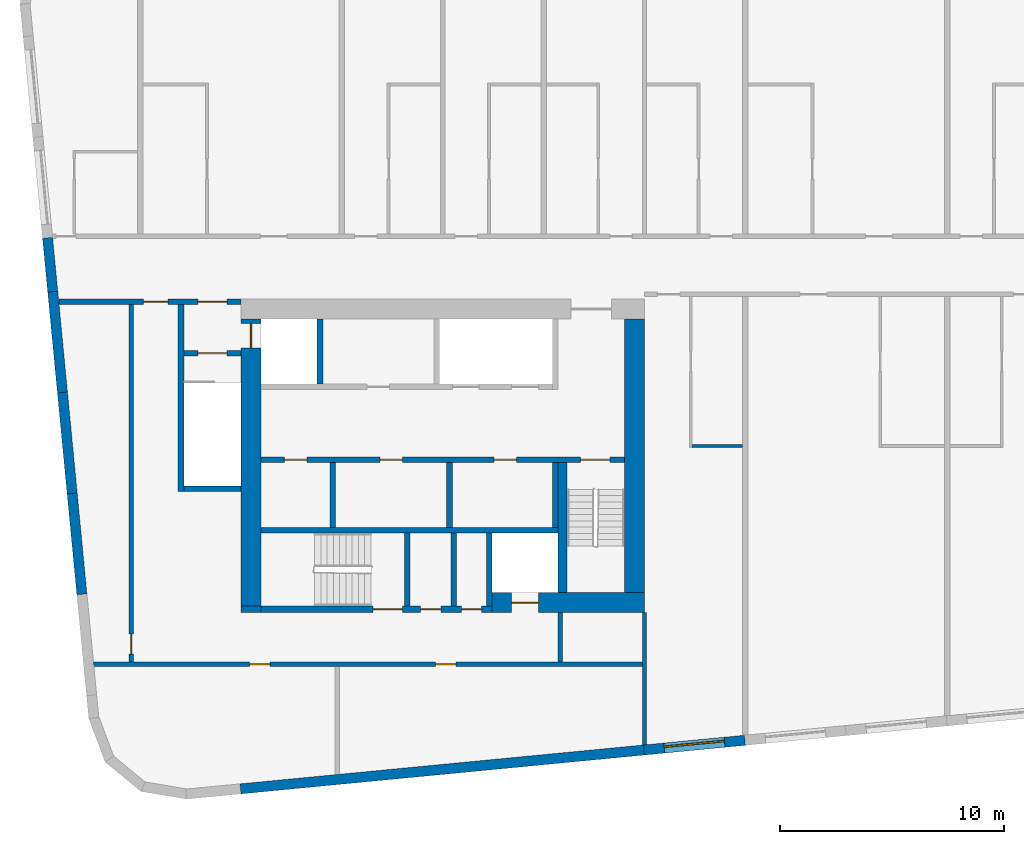
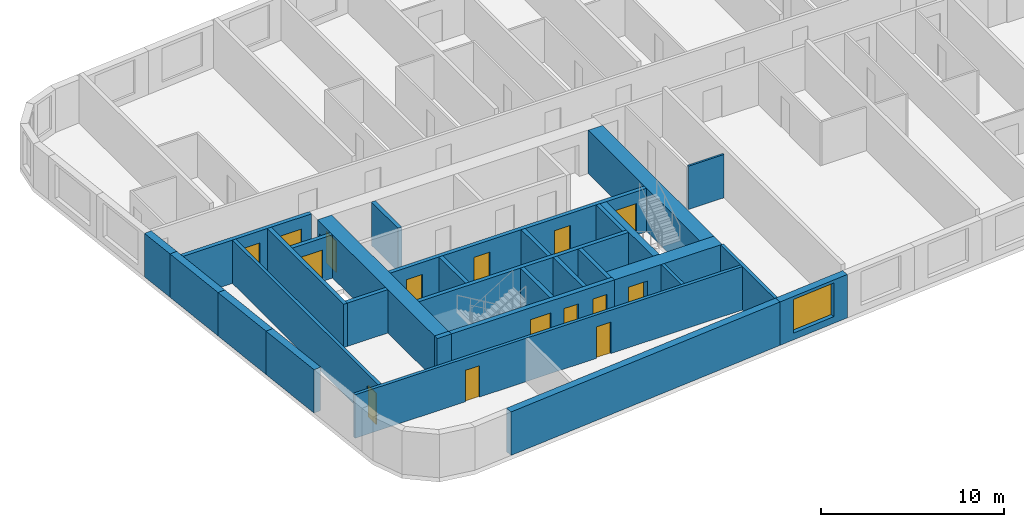
# One storey, part 2 of 11: 30 walls, 15 doors, 1 window, 16 openings.
"""IFC4 building model written with IfcOpenShell, lengths in metres."""

from ifc_helpers import new_model, si_unit, direction, frame, frame_2d, origin, place, context, subcontext, project, spatial, rectangle, extrude, material, layer, layer_set, type_object, element, fill, save


model = new_model("IFC4")

# Units and contexts
model_context = context("Model", 3, precision=1e-05, world=origin(), true_north=direction((0.0, 1.0)))
body_context = subcontext(model_context, "Body", "Model", "MODEL_VIEW")
ifc_project = project(units=[si_unit("LENGTHUNIT", "METRE"), si_unit("AREAUNIT", "SQUARE_METRE"), si_unit("VOLUMEUNIT", "CUBIC_METRE"), si_unit("PLANEANGLEUNIT", "RADIAN"), si_unit("MASSUNIT", "GRAM", prefix="KILO")], contexts=[model_context])

# Site, building, storey
site_placement = place(None, origin())
site = spatial("IfcSite", under=ifc_project, at=site_placement, CompositionType="ELEMENT")
building_placement = place(site_placement, origin())
building = spatial("IfcBuilding", under=site, at=building_placement, Name="Kajstack Hotel Tower", CompositionType="ELEMENT")
storey_placement = place(building_placement, frame((0.0, 0.0, 304.800048828125)))
storey = spatial("IfcBuildingStorey", under=building, at=storey_placement, Name="L77", CompositionType="ELEMENT", Elevation=304.800048828125)

# Wall, opening, door
ifc_material_1 = material(Name="Concrete C60/75", Category="concrete")
ifc_layer_1 = layer(ifc_material_1, 0.89990234375)
ifc_layer_set_1 = layer_set([ifc_layer_1], Name="Core wall 900")
wall_type_1 = type_object("IfcWallType", Name="Core wall 900", PredefinedType="SHEAR", material=ifc_layer_set_1)
wall_1_placement = place(storey_placement, frame((-20.300048828125, -15.050048828125, 0.0), z_axis=(0.0, 0.0, 1.0), x_axis=(1.0, 0.0, 0.0)))
wall_1 = element("IfcWall", 1, at=wall_1_placement, inside=storey, type_object=wall_type_1, Name="Core wall W RS", PredefinedType="SHEAR", context=body_context, shape_type="SweptSolid", body=[
    extrude(rectangle(XDim=6.800048828125, YDim=0.89990234375, at=frame_2d((3.39990234375, 0.0))), origin(), (0.0, 0.0, 1.0), 2.89990234375),
])
opening_1_placement = place(wall_1_placement, frame((0.875, 0.0, 0.0)))
opening_1 = element("IfcOpeningElement", 2, at=opening_1_placement, cuts=wall_1, Name="Opening LD-SV1", PredefinedType="OPENING", context=body_context, shape_type="SweptSolid", body=[
    extrude(rectangle(XDim=1.199951171875, YDim=2.10009765625, at=frame_2d((0.60009765625, 1.050048828125))), frame((0.0, 0.4599609375, 0.0), z_axis=(0.0, -1.0, 0.0), x_axis=(1.0, 0.0, 0.0)), (0.0, 0.0, 1.0), 0.919921875),
])
ifc_material_2 = material(Name="Stainless steel", Category="steel")
door_type_1 = type_object("IfcDoorType", Name="Lift landing door 1200", OperationType="SLIDING_TO_LEFT", PredefinedType="DOOR", material=ifc_material_2)
door_1_placement = place(opening_1_placement, origin())
door_1 = element("IfcDoor", 3, at=door_1_placement, inside=storey, type_object=door_type_1, Name="Landing door SV1", OperationType="SLIDING_TO_LEFT", OverallHeight=2.10009765625, OverallWidth=1.199951171875, PredefinedType="DOOR", context=body_context, shape_type="SweptSolid", body=[
    extrude(rectangle(XDim=1.199951171875, YDim=2.10009765625, at=frame_2d((0.60009765625, 1.050048828125))), frame((0.0, 0.02490234375, 0.0), z_axis=(0.0, -1.0, 0.0), x_axis=(1.0, 0.0, 0.0)), (0.0, 0.0, 1.0), 0.050048828125),
])
fill(opening_1, door_1)

# Wall
wall_2_placement = place(storey_placement, frame((-31.5, -15.35009765625, 0.0), z_axis=(0.0, 0.0, 1.0), x_axis=(1.0, 0.0, 0.0)))
element("IfcWall", 4, at=wall_2_placement, inside=storey, type_object=wall_type_1, Name="Core wall W RSW", PredefinedType="SHEAR", context=body_context, shape_type="SweptSolid", body=[
    extrude(rectangle(XDim=0.89990234375, YDim=0.300048828125, at=frame_2d((0.449951171875, 0.0))), origin(), (0.0, 0.0, 1.0), 2.89990234375),
])

# Wall, opening, door
wall_3_placement = place(storey_placement, frame((-31.050048828125, -15.199951171875, 0.0), z_axis=(0.0, 0.0, 1.0), x_axis=(0.0, 1.0, 0.0)))
wall_3 = element("IfcWall", 5, at=wall_3_placement, inside=storey, type_object=wall_type_1, Name="Core wall W RW", PredefinedType="SHEAR", context=body_context, shape_type="SweptSolid", body=[
    extrude(rectangle(XDim=12.800048828125, YDim=0.89990234375, at=frame_2d((6.39990234375, 0.0))), origin(), (0.0, 0.0, 1.0), 2.89990234375),
])
opening_2_placement = place(wall_3_placement, frame((11.5, 0.0, 0.0)))
opening_2 = element("IfcOpeningElement", 6, at=opening_2_placement, cuts=wall_3, Name="Opening LD-FF1", PredefinedType="OPENING", context=body_context, shape_type="SweptSolid", body=[
    extrude(rectangle(XDim=1.10009765625, YDim=2.10009765625, at=frame_2d((0.550048828125, 1.050048828125))), frame((0.0, 0.4599609375, 0.0), z_axis=(0.0, -1.0, 0.0), x_axis=(1.0, 0.0, 0.0)), (0.0, 0.0, 1.0), 0.919921875),
])
door_type_2 = type_object("IfcDoorType", Name="Fire-fighting lift landing door 1100", OperationType="SLIDING_TO_LEFT", PredefinedType="DOOR", material=ifc_material_2)
door_2_placement = place(opening_2_placement, origin())
door_2 = element("IfcDoor", 7, at=door_2_placement, inside=storey, type_object=door_type_2, Name="Landing door FF1", OperationType="SLIDING_TO_RIGHT", OverallHeight=2.10009765625, OverallWidth=1.10009765625, PredefinedType="DOOR", context=body_context, shape_type="SweptSolid", body=[
    extrude(rectangle(XDim=1.10009765625, YDim=2.10009765625, at=frame_2d((0.550048828125, 1.050048828125))), frame((0.0, 0.02490234375, 0.0), z_axis=(0.0, -1.0, 0.0), x_axis=(1.0, 0.0, 0.0)), (0.0, 0.0, 1.0), 0.050048828125),
])
fill(opening_2, door_2)

# Walls
wall_4_placement = place(storey_placement, frame((-13.949951171875, -14.60009765625, 0.0), z_axis=(0.0, 0.0, 1.0), x_axis=(0.0, 1.0, 0.0)))
element("IfcWall", 8, at=wall_4_placement, inside=storey, type_object=wall_type_1, Name="Core wall W RE", PredefinedType="SHEAR", context=body_context, shape_type="SweptSolid", body=[
    extrude(rectangle(XDim=12.2001953125, YDim=0.89990234375, at=frame_2d((6.10009765625, 0.0))), origin(), (0.0, 0.0, 1.0), 2.89990234375),
])
ifc_material_3 = material(Name="Twin-frame gypsum board on steel studs, mineral wool", Category="steel")
ifc_layer_2 = layer(ifc_material_3, 0.199951171875)
ifc_layer_set_2 = layer_set([ifc_layer_2], Name="Demising wall 200")
wall_type_2 = type_object("IfcWallType", Name="Demising wall 200", PredefinedType="PARTITIONING", material=ifc_layer_set_2)
wall_5_placement = place(storey_placement, frame((-13.5, -21.39599609375, 0.0), z_axis=(0.0, 0.0, 1.0), x_axis=(0.0, 1.0, 0.0)))
element("IfcWall", 9, at=wall_5_placement, inside=storey, type_object=wall_type_2, Name="G-wall-L77-002", PredefinedType="PARTITIONING", context=body_context, shape_type="SweptSolid", body=[
    extrude(rectangle(XDim=5.89599609375, YDim=0.199951171875, at=frame_2d((2.947998046875, 0.0))), origin(), (0.0, 0.0, 1.0), 2.89990234375),
])
ifc_material_4 = material(Name="Concrete C40/50", Category="concrete")
ifc_layer_3 = layer(ifc_material_4, 0.449951171875)
ifc_layer_set_3 = layer_set([ifc_layer_3], Name="EW-CORE")
wall_type_3 = type_object("IfcWallType", Name="EW-CORE", PredefinedType="SOLIDWALL", material=ifc_layer_set_3)
wall_6_placement = place(storey_placement, frame((-40.12744140625, 1.221435546875, 0.0), z_axis=(0.0, 0.0, 1.0), x_axis=(0.095893776162, -0.995391573047, 0.0)))
element("IfcWall", 10, at=wall_6_placement, inside=storey, type_object=wall_type_3, Name="E-wall-L77-00-03", PredefinedType="SOLIDWALL", context=body_context, shape_type="SweptSolid", body=[
    extrude(rectangle(XDim=2.4111328125, YDim=0.449951171875, at=frame_2d((1.20556640625, 0.0))), origin(), (0.0, 0.0, 1.0), 2.89990234375),
])
for number, where, z_axis, x_axis, name in (
    (11, (-39.896240234375, -1.178466796875, 0.0), (0.0, 0.0, 1.0), (0.09580296028, -0.995400317863, 0.0), "E-wall-L77-00-04"),
    (12, (-39.463134765625, -5.678466796875, 0.0), (0.0, 0.0, 1.0), (0.095856468129, -0.995395166513, 0.0), "E-wall-L77-00-05"),
    (13, (-39.02978515625, -10.178466796875, 0.0), (0.0, 0.0, 1.0), (0.095856468129, -0.995395166513, 0.0), "E-wall-L77-00-06"),
):
    element("IfcWall", number, at=place(storey_placement, frame(where, z_axis=z_axis, x_axis=x_axis)), inside=storey, type_object=wall_type_3, Name=name, PredefinedType="SOLIDWALL", context=body_context, shape_type="SweptSolid", body=[
        extrude(rectangle(XDim=4.520751953125, YDim=0.449951171875, at=frame_2d((2.26025390625, 0.0))), origin(), (0.0, 0.0, 1.0), 2.89990234375),
    ])
wall_7_placement = place(storey_placement, frame((-31.521484375, -23.357177734375, 0.0), z_axis=(0.0, 0.0, 1.0), x_axis=(0.995396454615, 0.095843091245, 0.0)))
element("IfcWall", 14, at=wall_7_placement, inside=storey, type_object=wall_type_3, Name="E-wall-L77-04-01", PredefinedType="SOLIDWALL", context=body_context, shape_type="SweptSolid", body=[
    extrude(rectangle(XDim=18.083251953125, YDim=0.449951171875, at=frame_2d((9.04150390625, 0.0))), origin(), (0.0, 0.0, 1.0), 2.89990234375),
])

# Wall, opening, window
wall_8_placement = place(storey_placement, frame((-13.521484375, -21.6240234375, 0.0), z_axis=(0.0, 0.0, 1.0), x_axis=(0.995395166513, 0.095856468129, 0.0)))
wall_8 = element("IfcWall", 15, at=wall_8_placement, inside=storey, type_object=wall_type_3, Name="E-wall-L77-04-02", PredefinedType="SOLIDWALL", context=body_context, shape_type="SweptSolid", body=[
    extrude(rectangle(XDim=4.520751953125, YDim=0.449951171875, at=frame_2d((2.26025390625, 0.0))), origin(), (0.0, 0.0, 1.0), 2.89990234375),
])
opening_3_placement = place(wall_8_placement, frame((0.910400390625, 0.0, 0.449951171875)))
opening_3 = element("IfcOpeningElement", 16, at=opening_3_placement, cuts=wall_8, Name="Opening W1", PredefinedType="OPENING", context=body_context, shape_type="SweptSolid", body=[
    extrude(rectangle(XDim=2.699951171875, YDim=2.25, at=frame_2d((1.35009765625, 1.125))), frame((0.0, 0.23486328125, 0.0), z_axis=(0.0, -1.0, 0.0), x_axis=(1.0, 0.0, 0.0)), (0.0, 0.0, 1.0), 0.469970703125),
])
ifc_material_5 = material(Name="Timber-aluminium window, triple glazed", Category="wood")
window_type = type_object("IfcWindowType", Name="WG1", PartitioningType="SINGLE_PANEL", PredefinedType="WINDOW", material=ifc_material_5)
window_placement = place(opening_3_placement, origin())
window = element("IfcWindow", 17, at=window_placement, inside=storey, type_object=window_type, Name="Window W1 L77-04", OverallHeight=2.25, OverallWidth=2.699951171875, PartitioningType="SINGLE_PANEL", PredefinedType="WINDOW", context=body_context, shape_type="SweptSolid", body=[
    extrude(rectangle(XDim=2.699951171875, YDim=2.25, at=frame_2d((1.35009765625, 1.125))), frame((0.0, 0.090087890625, 0.0), z_axis=(0.0, -1.0, 0.0), x_axis=(1.0, 0.0, 0.0)), (0.0, 0.0, 1.0), 0.06005859375),
])
fill(opening_3, window)

# Walls
ifc_material_6 = material(Name="Gypsum board and tiled backer on steel studs", Category="steel")
ifc_layer_4 = layer(ifc_material_6, 0.125)
ifc_layer_set_4 = layer_set([ifc_layer_4], Name="En-suite wall 125")
wall_type_4 = type_object("IfcWallType", Name="En-suite wall 125", PredefinedType="PARTITIONING", material=ifc_layer_set_4)
wall_9_placement = place(storey_placement, frame((-11.375, -8.06201171875, 0.0), z_axis=(0.0, 0.0, 1.0), x_axis=(1.0, 0.0, 0.0)))
element("IfcWall", 18, at=wall_9_placement, inside=storey, type_object=wall_type_4, Name="G-wall-L77-030", PredefinedType="PARTITIONING", context=body_context, shape_type="SweptSolid", body=[
    extrude(rectangle(XDim=2.25, YDim=0.125, at=frame_2d((1.125, 0.0))), origin(), (0.0, 0.0, 1.0), 2.89990234375),
])
ifc_material_7 = material(Name="Concrete block masonry", Category="masonry")
ifc_layer_5 = layer(ifc_material_7, 0.25)
ifc_layer_set_5 = layer_set([ifc_layer_5], Name="Riser partition 250")
wall_type_5 = type_object("IfcWallType", Name="Riser partition 250", PredefinedType="PARTITIONING", material=ifc_layer_set_5)
for number, where, z_axis, x_axis, name in (
    (19, (-27.39990234375, -11.699951171875, 0.0), (0.0, 0.0, 1.0), (0.0, 1.0, 0.0), "Partition W BF0"),
    (20, (-22.199951171875, -11.699951171875, 0.0), (0.0, 0.0, 1.0), (0.0, 1.0, 0.0), "Partition W BF1"),
):
    element("IfcWall", number, at=place(storey_placement, frame(where, z_axis=z_axis, x_axis=x_axis)), inside=storey, type_object=wall_type_5, Name=name, PredefinedType="PARTITIONING", context=body_context, shape_type="SweptSolid", body=[
        extrude(rectangle(XDim=2.89990234375, YDim=0.25, at=frame_2d((1.449951171875, 0.0))), origin(), (0.0, 0.0, 1.0), 2.89990234375),
    ])
wall_10_placement = place(storey_placement, frame((-22.0, -15.199951171875, 0.0), z_axis=(0.0, 0.0, 1.0), x_axis=(0.0, 1.0, 0.0)))
element("IfcWall", 21, at=wall_10_placement, inside=storey, type_object=wall_type_5, Name="Partition W SZ0", PredefinedType="PARTITIONING", context=body_context, shape_type="SweptSolid", body=[
    extrude(rectangle(XDim=3.25, YDim=0.25, at=frame_2d((1.625, 0.0))), origin(), (0.0, 0.0, 1.0), 2.89990234375),
])

# Wall, openings, doors
ifc_material_8 = material(Name="Gypsum board on steel studs, mineral wool", Category="steel")
ifc_layer_6 = layer(ifc_material_8, 0.199951171875)
ifc_layer_set_6 = layer_set([ifc_layer_6], Name="Service partition 200")
wall_type_6 = type_object("IfcWallType", Name="Service partition 200", PredefinedType="PARTITIONING", material=ifc_layer_set_6)
wall_11_placement = place(storey_placement, frame((-39.627197265625, -1.625, 0.0), z_axis=(0.0, 0.0, 1.0), x_axis=(1.0, 0.0, 0.0)))
wall_11 = element("IfcWall", 22, at=wall_11_placement, inside=storey, type_object=wall_type_6, Name="Partition W SN", PredefinedType="PARTITIONING", context=body_context, shape_type="SweptSolid", body=[
    extrude(rectangle(XDim=8.127197265625, YDim=0.25, at=frame_2d((4.0634765625, 0.0))), origin(), (0.0, 0.0, 1.0), 2.89990234375),
])
opening_4_placement = place(wall_11_placement, frame((6.202392578125, 0.0, 0.0)))
opening_4 = element("IfcOpeningElement", 23, at=opening_4_placement, cuts=wall_11, Name="Opening 77W06", PredefinedType="OPENING", context=body_context, shape_type="SweptSolid", body=[
    extrude(rectangle(XDim=1.300048828125, YDim=2.10009765625, at=frame_2d((0.64990234375, 1.050048828125))), frame((0.0, 0.135009765625, 0.0), z_axis=(0.0, -1.0, 0.0), x_axis=(1.0, 0.0, 0.0)), (0.0, 0.0, 1.0), 0.27001953125),
])
opening_5_placement = place(wall_11_placement, frame((3.77734375, 0.0, 0.0)))
opening_5 = element("IfcOpeningElement", 24, at=opening_5_placement, cuts=wall_11, Name="Opening 77W08", PredefinedType="OPENING", context=body_context, shape_type="SweptSolid", body=[
    extrude(rectangle(XDim=1.10009765625, YDim=2.10009765625, at=frame_2d((0.550048828125, 1.050048828125))), frame((0.0, 0.135009765625, 0.0), z_axis=(0.0, -1.0, 0.0), x_axis=(1.0, 0.0, 0.0)), (0.0, 0.0, 1.0), 0.27001953125),
])
ifc_material_9 = material(Name="Steel leaf, fire-rated", Category="steel")
door_type_3 = type_object("IfcDoorType", Name="Fire lobby door 1300", OperationType="SINGLE_SWING_LEFT", PredefinedType="DOOR", material=ifc_material_9)
door_3_placement = place(opening_4_placement, origin())
door_3 = element("IfcDoor", 25, at=door_3_placement, inside=storey, type_object=door_type_3, Name="Door 77W06", OperationType="SINGLE_SWING_RIGHT", OverallHeight=2.10009765625, OverallWidth=1.300048828125, PredefinedType="DOOR", context=body_context, shape_type="SweptSolid", body=[
    extrude(rectangle(XDim=1.300048828125, YDim=2.10009765625, at=frame_2d((0.64990234375, 1.050048828125))), frame((0.0, 0.02490234375, 0.0), z_axis=(0.0, -1.0, 0.0), x_axis=(1.0, 0.0, 0.0)), (0.0, 0.0, 1.0), 0.050048828125),
])
fill(opening_4, door_3)
ifc_material_10 = material(Name="Timber leaf, fire-rated", Category="wood")
door_type_4 = type_object("IfcDoorType", Name="Service corridor door 1100", OperationType="SINGLE_SWING_LEFT", PredefinedType="DOOR", material=ifc_material_10)
door_4_placement = place(opening_5_placement, origin())
door_4 = element("IfcDoor", 26, at=door_4_placement, inside=storey, type_object=door_type_4, Name="Door 77W08", OperationType="SINGLE_SWING_RIGHT", OverallHeight=2.10009765625, OverallWidth=1.10009765625, PredefinedType="DOOR", context=body_context, shape_type="SweptSolid", body=[
    extrude(rectangle(XDim=1.10009765625, YDim=2.10009765625, at=frame_2d((0.550048828125, 1.050048828125))), frame((0.0, 0.02490234375, 0.0), z_axis=(0.0, -1.0, 0.0), x_axis=(1.0, 0.0, 0.0)), (0.0, 0.0, 1.0), 0.050048828125),
])
fill(opening_5, door_4)

# Wall
wall_12_placement = place(storey_placement, frame((-17.25, -17.699951171875, 0.0), z_axis=(0.0, 0.0, 1.0), x_axis=(0.0, 1.0, 0.0)))
element("IfcWall", 27, at=wall_12_placement, inside=storey, type_object=wall_type_6, Name="Partition W SCE", PredefinedType="PARTITIONING", context=body_context, shape_type="SweptSolid", body=[
    extrude(rectangle(XDim=2.199951171875, YDim=0.199951171875, at=frame_2d((1.10009765625, 0.0))), origin(), (0.0, 0.0, 1.0), 2.89990234375),
])

# Wall, opening, door
wall_13_placement = place(storey_placement, frame((-36.39990234375, -17.699951171875, 0.0), z_axis=(0.0, 0.0, 1.0), x_axis=(0.0, 1.0, 0.0)))
wall_13 = element("IfcWall", 28, at=wall_13_placement, inside=storey, type_object=wall_type_6, Name="Partition W WRE", PredefinedType="PARTITIONING", context=body_context, shape_type="SweptSolid", body=[
    extrude(rectangle(XDim=15.949951171875, YDim=0.199951171875, at=frame_2d((7.97509765625, 0.0))), origin(), (0.0, 0.0, 1.0), 2.89990234375),
])
opening_6_placement = place(wall_13_placement, frame((0.35009765625, 0.0, 0.0)))
opening_6 = element("IfcOpeningElement", 29, at=opening_6_placement, cuts=wall_13, Name="Opening 77W19", PredefinedType="OPENING", context=body_context, shape_type="SweptSolid", body=[
    extrude(rectangle(XDim=0.89990234375, YDim=2.10009765625, at=frame_2d((0.449951171875, 1.050048828125))), frame((0.0, 0.10986328125, 0.0), z_axis=(0.0, -1.0, 0.0), x_axis=(1.0, 0.0, 0.0)), (0.0, 0.0, 1.0), 0.219970703125),
])
door_type_5 = type_object("IfcDoorType", Name="Service door 900", OperationType="SINGLE_SWING_LEFT", PredefinedType="DOOR", material=ifc_material_10)
door_5_placement = place(opening_6_placement, origin())
door_5 = element("IfcDoor", 30, at=door_5_placement, inside=storey, type_object=door_type_5, Name="Door 77W19", OperationType="SINGLE_SWING_LEFT", OverallHeight=2.10009765625, OverallWidth=0.89990234375, PredefinedType="DOOR", context=body_context, shape_type="SweptSolid", body=[
    extrude(rectangle(XDim=0.89990234375, YDim=2.10009765625, at=frame_2d((0.449951171875, 1.050048828125))), frame((0.0, 0.02490234375, 0.0), z_axis=(0.0, -1.0, 0.0), x_axis=(1.0, 0.0, 0.0)), (0.0, 0.0, 1.0), 0.050048828125),
])
fill(opening_6, door_5)

# Wall, openings, doors
wall_14_placement = place(storey_placement, frame((-38.06982421875, -17.800048828125, 0.0), z_axis=(0.0, 0.0, 1.0), x_axis=(1.0, 0.0, 0.0)))
wall_14 = element("IfcWall", 31, at=wall_14_placement, inside=storey, type_object=wall_type_6, Name="Partition W SLN", PredefinedType="PARTITIONING", context=body_context, shape_type="SweptSolid", body=[
    extrude(rectangle(XDim=24.4697265625, YDim=0.199951171875, at=frame_2d((12.23486328125, 0.0))), origin(), (0.0, 0.0, 1.0), 2.89990234375),
])
opening_7_placement = place(wall_14_placement, frame((6.957275390625, 0.0, 0.0)))
opening_7 = element("IfcOpeningElement", 32, at=opening_7_placement, cuts=wall_14, Name="Opening 77W17", PredefinedType="OPENING", context=body_context, shape_type="SweptSolid", body=[
    extrude(rectangle(XDim=0.89990234375, YDim=2.10009765625, at=frame_2d((0.449951171875, 1.050048828125))), frame((0.0, 0.10986328125, 0.0), z_axis=(0.0, -1.0, 0.0), x_axis=(1.0, 0.0, 0.0)), (0.0, 0.0, 1.0), 0.219970703125),
])
opening_8_placement = place(wall_14_placement, frame((15.25732421875, 0.0, 0.0)))
opening_8 = element("IfcOpeningElement", 33, at=opening_8_placement, cuts=wall_14, Name="Opening 77W18", PredefinedType="OPENING", context=body_context, shape_type="SweptSolid", body=[
    extrude(rectangle(XDim=0.89990234375, YDim=2.10009765625, at=frame_2d((0.449951171875, 1.050048828125))), frame((0.0, 0.10986328125, 0.0), z_axis=(0.0, -1.0, 0.0), x_axis=(1.0, 0.0, 0.0)), (0.0, 0.0, 1.0), 0.219970703125),
])
door_6_placement = place(opening_7_placement, origin())
door_6 = element("IfcDoor", 34, at=door_6_placement, inside=storey, type_object=door_type_5, Name="Door 77W17", OperationType="SINGLE_SWING_RIGHT", OverallHeight=2.10009765625, OverallWidth=0.89990234375, PredefinedType="DOOR", context=body_context, shape_type="SweptSolid", body=[
    extrude(rectangle(XDim=0.89990234375, YDim=2.10009765625, at=frame_2d((0.449951171875, 1.050048828125))), frame((0.0, 0.02490234375, 0.0), z_axis=(0.0, -1.0, 0.0), x_axis=(1.0, 0.0, 0.0)), (0.0, 0.0, 1.0), 0.050048828125),
])
fill(opening_7, door_6)
door_7_placement = place(opening_8_placement, origin())
door_7 = element("IfcDoor", 35, at=door_7_placement, inside=storey, type_object=door_type_5, Name="Door 77W18", OperationType="SINGLE_SWING_RIGHT", OverallHeight=2.10009765625, OverallWidth=0.89990234375, PredefinedType="DOOR", context=body_context, shape_type="SweptSolid", body=[
    extrude(rectangle(XDim=0.89990234375, YDim=2.10009765625, at=frame_2d((0.449951171875, 1.050048828125))), frame((0.0, 0.02490234375, 0.0), z_axis=(0.0, -1.0, 0.0), x_axis=(1.0, 0.0, 0.0)), (0.0, 0.0, 1.0), 0.050048828125),
])
fill(opening_8, door_7)

ifc_material_11 = material(Name="Concrete C50/60", Category="concrete")
ifc_layer_7 = layer(ifc_material_11, 0.25)
ifc_layer_set_7 = layer_set([ifc_layer_7], Name="Shaft wall 250")
wall_type_7 = type_object("IfcWallType", Name="Shaft wall 250", PredefinedType="SHEAR", material=ifc_layer_set_7)
wall_15_placement = place(storey_placement, frame((-30.60009765625, -15.35009765625, 0.0), z_axis=(0.0, 0.0, 1.0), x_axis=(1.0, 0.0, 0.0)))
wall_15 = element("IfcWall", 36, at=wall_15_placement, inside=storey, type_object=wall_type_7, Name="Core wall W RSS", PredefinedType="SHEAR", context=body_context, shape_type="SweptSolid", body=[
    extrude(rectangle(XDim=10.300048828125, YDim=0.300048828125, at=frame_2d((5.14990234375, 0.0))), origin(), (0.0, 0.0, 1.0), 2.89990234375),
])
opening_9_placement = place(wall_15_placement, frame((5.0, 0.0, 0.0)))
opening_9 = element("IfcOpeningElement", 37, at=opening_9_placement, cuts=wall_15, Name="Opening 77W10", PredefinedType="OPENING", context=body_context, shape_type="SweptSolid", body=[
    extrude(rectangle(XDim=1.300048828125, YDim=2.10009765625, at=frame_2d((0.64990234375, 1.050048828125))), frame((0.0, 0.159912109375, 0.0), z_axis=(0.0, -1.0, 0.0), x_axis=(1.0, 0.0, 0.0)), (0.0, 0.0, 1.0), 0.320068359375),
])
opening_10_placement = place(wall_15_placement, frame((7.112548828125, 0.0, 0.0)))
opening_10 = element("IfcOpeningElement", 38, at=opening_10_placement, cuts=wall_15, Name="Opening 77W11", PredefinedType="OPENING", context=body_context, shape_type="SweptSolid", body=[
    extrude(rectangle(XDim=0.89990234375, YDim=2.10009765625, at=frame_2d((0.449951171875, 1.050048828125))), frame((0.0, 0.159912109375, 0.0), z_axis=(0.0, -1.0, 0.0), x_axis=(1.0, 0.0, 0.0)), (0.0, 0.0, 1.0), 0.320068359375),
])
opening_11_placement = place(wall_15_placement, frame((8.9375, 0.0, 0.0)))
opening_11 = element("IfcOpeningElement", 39, at=opening_11_placement, cuts=wall_15, Name="Opening 77W12", PredefinedType="OPENING", context=body_context, shape_type="SweptSolid", body=[
    extrude(rectangle(XDim=0.89990234375, YDim=2.10009765625, at=frame_2d((0.449951171875, 1.050048828125))), frame((0.0, 0.159912109375, 0.0), z_axis=(0.0, -1.0, 0.0), x_axis=(1.0, 0.0, 0.0)), (0.0, 0.0, 1.0), 0.320068359375),
])
door_8_placement = place(opening_10_placement, origin())
door_8 = element("IfcDoor", 40, at=door_8_placement, inside=storey, type_object=door_type_5, Name="Door 77W11", OperationType="SINGLE_SWING_LEFT", OverallHeight=2.10009765625, OverallWidth=0.89990234375, PredefinedType="DOOR", context=body_context, shape_type="SweptSolid", body=[
    extrude(rectangle(XDim=0.89990234375, YDim=2.10009765625, at=frame_2d((0.449951171875, 1.050048828125))), frame((0.0, 0.02490234375, 0.0), z_axis=(0.0, -1.0, 0.0), x_axis=(1.0, 0.0, 0.0)), (0.0, 0.0, 1.0), 0.050048828125),
])
fill(opening_10, door_8)
door_9_placement = place(opening_11_placement, origin())
door_9 = element("IfcDoor", 41, at=door_9_placement, inside=storey, type_object=door_type_5, Name="Door 77W12", OperationType="SINGLE_SWING_LEFT", OverallHeight=2.10009765625, OverallWidth=0.89990234375, PredefinedType="DOOR", context=body_context, shape_type="SweptSolid", body=[
    extrude(rectangle(XDim=0.89990234375, YDim=2.10009765625, at=frame_2d((0.449951171875, 1.050048828125))), frame((0.0, 0.02490234375, 0.0), z_axis=(0.0, -1.0, 0.0), x_axis=(1.0, 0.0, 0.0)), (0.0, 0.0, 1.0), 0.050048828125),
])
fill(opening_11, door_9)
door_type_6 = type_object("IfcDoorType", Name="Stair door 1300", OperationType="SINGLE_SWING_LEFT", PredefinedType="DOOR", material=ifc_material_9)
door_10_placement = place(opening_9_placement, origin())
door_10 = element("IfcDoor", 42, at=door_10_placement, inside=storey, type_object=door_type_6, Name="Door 77W10", OperationType="SINGLE_SWING_RIGHT", OverallHeight=2.10009765625, OverallWidth=1.300048828125, PredefinedType="DOOR", context=body_context, shape_type="SweptSolid", body=[
    extrude(rectangle(XDim=1.300048828125, YDim=2.10009765625, at=frame_2d((0.64990234375, 1.050048828125))), frame((0.0, 0.02490234375, 0.0), z_axis=(0.0, -1.0, 0.0), x_axis=(1.0, 0.0, 0.0)), (0.0, 0.0, 1.0), 0.050048828125),
])
fill(opening_9, door_10)

# Wall
wall_16_placement = place(storey_placement, frame((-27.97509765625, -5.300048828125, 0.0), z_axis=(0.0, 0.0, 1.0), x_axis=(0.0, 1.0, 0.0)))
element("IfcWall", 43, at=wall_16_placement, inside=storey, type_object=wall_type_7, Name="Core wall W AP0", PredefinedType="SHEAR", context=body_context, shape_type="SweptSolid", body=[
    extrude(rectangle(XDim=2.900146484375, YDim=0.25, at=frame_2d((1.4501953125, 0.0))), origin(), (0.0, 0.0, 1.0), 2.89990234375),
])

# Wall, openings, doors
wall_17_placement = place(storey_placement, frame((-30.60009765625, -8.675048828125, 0.0), z_axis=(0.0, 0.0, 1.0), x_axis=(1.0, 0.0, 0.0)))
wall_17 = element("IfcWall", 44, at=wall_17_placement, inside=storey, type_object=wall_type_7, Name="Core wall W FB", PredefinedType="SHEAR", context=body_context, shape_type="SweptSolid", body=[
    extrude(rectangle(XDim=16.2001953125, YDim=0.25, at=frame_2d((8.10009765625, 0.0))), origin(), (0.0, 0.0, 1.0), 2.89990234375),
])
opening_12_placement = place(wall_17_placement, frame((14.25, 0.0, 0.0)))
opening_12 = element("IfcOpeningElement", 45, at=opening_12_placement, cuts=wall_17, Name="Opening 77W09", PredefinedType="OPENING", context=body_context, shape_type="SweptSolid", body=[
    extrude(rectangle(XDim=1.300048828125, YDim=2.10009765625, at=frame_2d((0.64990234375, 1.050048828125))), frame((0.0, 0.135009765625, 0.0), z_axis=(0.0, -1.0, 0.0), x_axis=(1.0, 0.0, 0.0)), (0.0, 0.0, 1.0), 0.27001953125),
])
opening_13_placement = place(wall_17_placement, frame((1.03759765625, 0.0, 0.0)))
opening_13 = element("IfcOpeningElement", 46, at=opening_13_placement, cuts=wall_17, Name="Opening 77W13", PredefinedType="OPENING", context=body_context, shape_type="SweptSolid", body=[
    extrude(rectangle(XDim=1.0, YDim=2.10009765625, at=frame_2d((0.5, 1.050048828125))), frame((0.0, 0.135009765625, 0.0), z_axis=(0.0, -1.0, 0.0), x_axis=(1.0, 0.0, 0.0)), (0.0, 0.0, 1.0), 0.27001953125),
])
opening_14_placement = place(wall_17_placement, frame((5.300048828125, 0.0, 0.0)))
opening_14 = element("IfcOpeningElement", 47, at=opening_14_placement, cuts=wall_17, Name="Opening 77W14", PredefinedType="OPENING", context=body_context, shape_type="SweptSolid", body=[
    extrude(rectangle(XDim=1.0, YDim=2.10009765625, at=frame_2d((0.5, 1.050048828125))), frame((0.0, 0.135009765625, 0.0), z_axis=(0.0, -1.0, 0.0), x_axis=(1.0, 0.0, 0.0)), (0.0, 0.0, 1.0), 0.27001953125),
])
opening_15_placement = place(wall_17_placement, frame((10.387451171875, 0.0, 0.0)))
opening_15 = element("IfcOpeningElement", 48, at=opening_15_placement, cuts=wall_17, Name="Opening 77W15", PredefinedType="OPENING", context=body_context, shape_type="SweptSolid", body=[
    extrude(rectangle(XDim=1.0, YDim=2.10009765625, at=frame_2d((0.5, 1.050048828125))), frame((0.0, 0.135009765625, 0.0), z_axis=(0.0, -1.0, 0.0), x_axis=(1.0, 0.0, 0.0)), (0.0, 0.0, 1.0), 0.27001953125),
])
door_type_7 = type_object("IfcDoorType", Name="Service room door 1000", OperationType="SINGLE_SWING_LEFT", PredefinedType="DOOR", material=ifc_material_10)
door_11_placement = place(opening_13_placement, origin())
door_11 = element("IfcDoor", 49, at=door_11_placement, inside=storey, type_object=door_type_7, Name="Door 77W13", OperationType="SINGLE_SWING_RIGHT", OverallHeight=2.10009765625, OverallWidth=1.0, PredefinedType="DOOR", context=body_context, shape_type="SweptSolid", body=[
    extrude(rectangle(XDim=1.0, YDim=2.10009765625, at=frame_2d((0.5, 1.050048828125))), frame((0.0, 0.02490234375, 0.0), z_axis=(0.0, -1.0, 0.0), x_axis=(1.0, 0.0, 0.0)), (0.0, 0.0, 1.0), 0.050048828125),
])
fill(opening_13, door_11)
door_12_placement = place(opening_14_placement, origin())
door_12 = element("IfcDoor", 50, at=door_12_placement, inside=storey, type_object=door_type_7, Name="Door 77W14", OperationType="SINGLE_SWING_RIGHT", OverallHeight=2.10009765625, OverallWidth=1.0, PredefinedType="DOOR", context=body_context, shape_type="SweptSolid", body=[
    extrude(rectangle(XDim=1.0, YDim=2.10009765625, at=frame_2d((0.5, 1.050048828125))), frame((0.0, 0.02490234375, 0.0), z_axis=(0.0, -1.0, 0.0), x_axis=(1.0, 0.0, 0.0)), (0.0, 0.0, 1.0), 0.050048828125),
])
fill(opening_14, door_12)
door_13_placement = place(opening_15_placement, origin())
door_13 = element("IfcDoor", 51, at=door_13_placement, inside=storey, type_object=door_type_7, Name="Door 77W15", OperationType="SINGLE_SWING_RIGHT", OverallHeight=2.10009765625, OverallWidth=1.0, PredefinedType="DOOR", context=body_context, shape_type="SweptSolid", body=[
    extrude(rectangle(XDim=1.0, YDim=2.10009765625, at=frame_2d((0.5, 1.050048828125))), frame((0.0, 0.02490234375, 0.0), z_axis=(0.0, -1.0, 0.0), x_axis=(1.0, 0.0, 0.0)), (0.0, 0.0, 1.0), 0.050048828125),
])
fill(opening_15, door_13)
door_14_placement = place(opening_12_placement, origin())
door_14 = element("IfcDoor", 52, at=door_14_placement, inside=storey, type_object=door_type_6, Name="Door 77W09", OperationType="SINGLE_SWING_RIGHT", OverallHeight=2.10009765625, OverallWidth=1.300048828125, PredefinedType="DOOR", context=body_context, shape_type="SweptSolid", body=[
    extrude(rectangle(XDim=1.300048828125, YDim=2.10009765625, at=frame_2d((0.64990234375, 1.050048828125))), frame((0.0, 0.02490234375, 0.0), z_axis=(0.0, -1.0, 0.0), x_axis=(1.0, 0.0, 0.0)), (0.0, 0.0, 1.0), 0.050048828125),
])
fill(opening_12, door_14)

# Walls
wall_18_placement = place(storey_placement, frame((-30.60009765625, -11.824951171875, 0.0), z_axis=(0.0, 0.0, 1.0), x_axis=(1.0, 0.0, 0.0)))
element("IfcWall", 53, at=wall_18_placement, inside=storey, type_object=wall_type_7, Name="Core wall W RB", PredefinedType="SHEAR", context=body_context, shape_type="SweptSolid", body=[
    extrude(rectangle(XDim=13.25, YDim=0.25, at=frame_2d((6.625, 0.0))), origin(), (0.0, 0.0, 1.0), 2.89990234375),
])
wall_19_placement = place(storey_placement, frame((-17.47509765625, -11.699951171875, 0.0), z_axis=(0.0, 0.0, 1.0), x_axis=(0.0, 1.0, 0.0)))
element("IfcWall", 54, at=wall_19_placement, inside=storey, type_object=wall_type_7, Name="Core wall W BE", PredefinedType="SHEAR", context=body_context, shape_type="SweptSolid", body=[
    extrude(rectangle(XDim=2.89990234375, YDim=0.25, at=frame_2d((1.449951171875, 0.0))), origin(), (0.0, 0.0, 1.0), 2.89990234375),
])
wall_20_placement = place(storey_placement, frame((-20.425048828125, -15.199951171875, 0.0), z_axis=(0.0, 0.0, 1.0), x_axis=(0.0, 1.0, 0.0)))
element("IfcWall", 55, at=wall_20_placement, inside=storey, type_object=wall_type_7, Name="Core wall W SVW", PredefinedType="SHEAR", context=body_context, shape_type="SweptSolid", body=[
    extrude(rectangle(XDim=3.25, YDim=0.25, at=frame_2d((1.625, 0.0))), origin(), (0.0, 0.0, 1.0), 2.89990234375),
])

# Wall, opening, door
ifc_layer_8 = layer(ifc_material_4, 0.25)
ifc_layer_set_8 = layer_set([ifc_layer_8], Name="Stair enclosure wall 250")
wall_type_8 = type_object("IfcWallType", Name="Stair enclosure wall 250", PredefinedType="SHEAR", material=ifc_layer_set_8)
wall_21_placement = place(storey_placement, frame((-34.050048828125, -3.925048828125, 0.0), z_axis=(0.0, 0.0, 1.0), x_axis=(1.0, 0.0, 0.0)))
wall_21 = element("IfcWall", 56, at=wall_21_placement, inside=storey, type_object=wall_type_8, Name="Core wall W W1N", PredefinedType="SHEAR", context=body_context, shape_type="SweptSolid", body=[
    extrude(rectangle(XDim=2.550048828125, YDim=0.25, at=frame_2d((1.27490234375, 0.0))), origin(), (0.0, 0.0, 1.0), 2.89990234375),
])
opening_16_placement = place(wall_21_placement, frame((0.625, 0.0, 0.0)))
opening_16 = element("IfcOpeningElement", 57, at=opening_16_placement, cuts=wall_21, Name="Opening 77W07", PredefinedType="OPENING", context=body_context, shape_type="SweptSolid", body=[
    extrude(rectangle(XDim=1.300048828125, YDim=2.10009765625, at=frame_2d((0.64990234375, 1.050048828125))), frame((0.0, 0.135009765625, 0.0), z_axis=(0.0, -1.0, 0.0), x_axis=(1.0, 0.0, 0.0)), (0.0, 0.0, 1.0), 0.27001953125),
])
door_15_placement = place(opening_16_placement, origin())
door_15 = element("IfcDoor", 58, at=door_15_placement, inside=storey, type_object=door_type_6, Name="Door 77W07", OperationType="SINGLE_SWING_RIGHT", OverallHeight=2.10009765625, OverallWidth=1.300048828125, PredefinedType="DOOR", context=body_context, shape_type="SweptSolid", body=[
    extrude(rectangle(XDim=1.300048828125, YDim=2.10009765625, at=frame_2d((0.64990234375, 1.050048828125))), frame((0.0, 0.02490234375, 0.0), z_axis=(0.0, -1.0, 0.0), x_axis=(1.0, 0.0, 0.0)), (0.0, 0.0, 1.0), 0.050048828125),
])
fill(opening_16, door_15)

# Walls
wall_22_placement = place(storey_placement, frame((-34.175048828125, -10.10009765625, 0.0), z_axis=(0.0, 0.0, 1.0), x_axis=(0.0, 1.0, 0.0)))
element("IfcWall", 59, at=wall_22_placement, inside=storey, type_object=wall_type_8, Name="Core wall W W1W", PredefinedType="SHEAR", context=body_context, shape_type="SweptSolid", body=[
    extrude(rectangle(XDim=8.35009765625, YDim=0.25, at=frame_2d((4.175048828125, 0.0))), origin(), (0.0, 0.0, 1.0), 2.89990234375),
])
wall_23_placement = place(storey_placement, frame((-34.050048828125, -9.97509765625, 0.0), z_axis=(0.0, 0.0, 1.0), x_axis=(1.0, 0.0, 0.0)))
element("IfcWall", 60, at=wall_23_placement, inside=storey, type_object=wall_type_8, Name="Core wall W W1S", PredefinedType="SHEAR", context=body_context, shape_type="SweptSolid", body=[
    extrude(rectangle(XDim=2.550048828125, YDim=0.25, at=frame_2d((1.27490234375, 0.0))), origin(), (0.0, 0.0, 1.0), 2.89990234375),
])
ifc_layer_9 = layer(ifc_material_11, 0.35009765625)
ifc_layer_set_9 = layer_set([ifc_layer_9], Name="Stair enclosure wall 350")
wall_type_9 = type_object("IfcWallType", Name="Stair enclosure wall 350", PredefinedType="SHEAR", material=ifc_layer_set_9)
wall_24_placement = place(storey_placement, frame((-24.074951171875, -15.199951171875, 0.0), z_axis=(0.0, 0.0, 1.0), x_axis=(0.0, 1.0, 0.0)))
element("IfcWall", 61, at=wall_24_placement, inside=storey, type_object=wall_type_9, Name="Core wall W W3E", PredefinedType="SHEAR", context=body_context, shape_type="SweptSolid", body=[
    extrude(rectangle(XDim=3.25, YDim=0.25, at=frame_2d((1.625, 0.0))), origin(), (0.0, 0.0, 1.0), 2.89990234375),
])
ifc_layer_10 = layer(ifc_material_11, 0.39990234375)
ifc_layer_set_10 = layer_set([ifc_layer_10], Name="Stair wall 400")
wall_type_10 = type_object("IfcWallType", Name="Stair wall 400", PredefinedType="SHEAR", material=ifc_layer_set_10)
wall_25_placement = place(storey_placement, frame((-17.14990234375, -14.60009765625, 0.0), z_axis=(0.0, 0.0, 1.0), x_axis=(0.0, 1.0, 0.0)))
element("IfcWall", 62, at=wall_25_placement, inside=storey, type_object=wall_type_10, Name="Core wall W WW2", PredefinedType="SHEAR", context=body_context, shape_type="SweptSolid", body=[
    extrude(rectangle(XDim=5.800048828125, YDim=0.39990234375, at=frame_2d((2.89990234375, 0.0))), origin(), (0.0, 0.0, 1.0), 2.89990234375),
])

save(model, "model.ifc")
